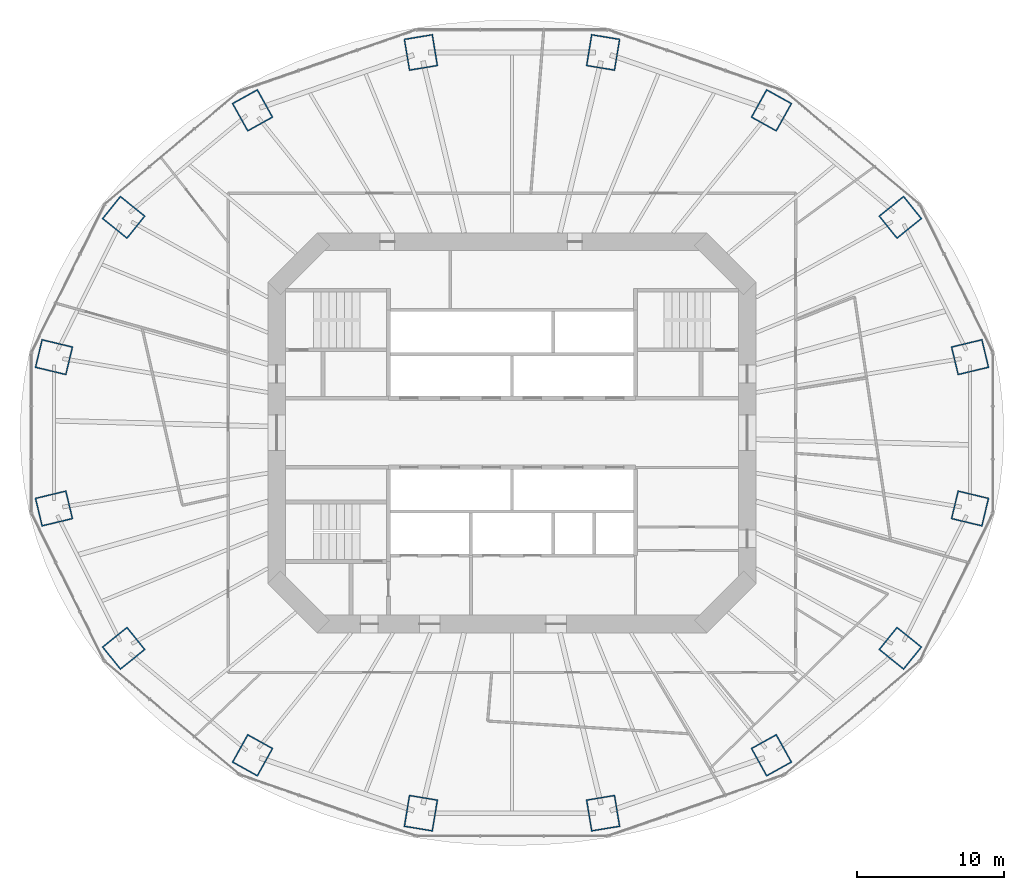
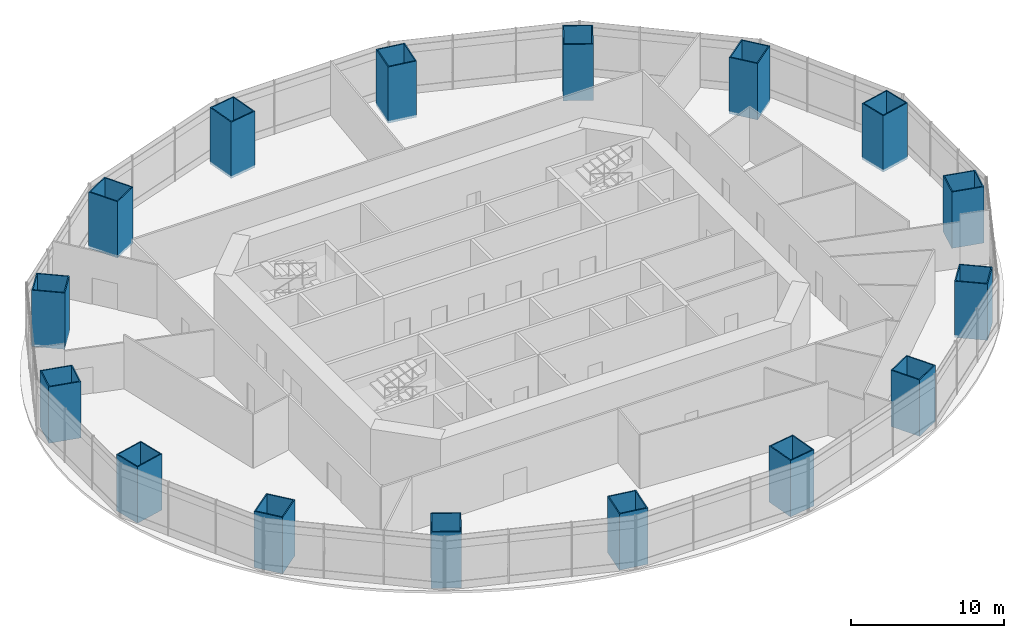
# One storey, part 1 of 17: 16 columns.
"""IFC4 building model written with IfcOpenShell, lengths in metres."""

from ifc_helpers import new_model, si_unit, direction, frame, origin, origin_2d, place, context, subcontext, project, spatial, rectangle, hollow_rectangle, extrude, material, material_profile, profile_set, type_object, element, save


model = new_model("IFC4")

# Units and contexts
model_context = context("Model", 3, precision=1e-05, world=origin(), true_north=direction((0.0, 1.0)))
body_context = subcontext(model_context, "Body", "Model", "MODEL_VIEW")
ifc_project = project(units=[si_unit("LENGTHUNIT", "METRE"), si_unit("AREAUNIT", "SQUARE_METRE"), si_unit("VOLUMEUNIT", "CUBIC_METRE"), si_unit("PLANEANGLEUNIT", "RADIAN"), si_unit("MASSUNIT", "GRAM", prefix="KILO")], contexts=[model_context])

# Site, building, storey
site_placement = place(None, origin())
site = spatial("IfcSite", under=ifc_project, at=site_placement, CompositionType="ELEMENT")
building_placement = place(site_placement, origin())
building = spatial("IfcBuilding", under=site, at=building_placement, Name="Marenthal Gate Tower", CompositionType="ELEMENT")
storey_placement = place(building_placement, frame((0.0, 0.0, 145.050048828125)))
storey = spatial("IfcBuildingStorey", under=building, at=storey_placement, Name="L31", CompositionType="ELEMENT", Elevation=145.050048828125)

# Columns
ifc_material_1 = material(Name="Steel S460", Category="steel")
ifc_material_profile_1 = material_profile(ifc_material_1, hollow_rectangle(XDim=2.0, YDim=2.199951171875, WallThickness=0.080078125, at=origin_2d()), Name="CFT BOX 2200X2000X80")
ifc_material_2 = material(Name="Concrete 70 MPa", Category="concrete")
ifc_material_profile_2 = material_profile(ifc_material_2, rectangle(XDim=1.840087890625, YDim=2.0400390625, at=origin_2d()), Name="CFT BOX 2200X2000X80 INFILL")
ifc_profile_set = profile_set([ifc_material_profile_1, ifc_material_profile_2], Name="Steel S460 shell, Concrete 70 MPa infill")
column_type = type_object("IfcColumnType", Name="CFT BOX 2200X2000X80", PredefinedType="COLUMN", material=ifc_profile_set)
for number, where, z_axis, x_axis, name in (
    (1, (31.151611328125, 5.14599609375, -0.199951171875), (0.0, 0.0, 1.0), (0.23293280554, -0.972492831903, 0.0), "COL-L31-01"),
    (2, (26.4091796875, 14.654296875, -0.199951171875), (0.0, 0.0, 1.0), (0.626873093811, -0.779121379668, 0.0), "COL-L31-02"),
    (3, (17.64599609375, 21.931640625, -0.199951171875), (0.0, 0.0, 1.0), (0.874403004827, -0.485200355677, 0.0), "COL-L31-03"),
    (4, (6.196533203125, 25.8701171875, -0.199951171875), (0.0, 0.0, 1.0), (0.986629397471, -0.162979851655, 0.0), "COL-L31-04"),
    (5, (-6.196533203125, 25.8701171875, -0.199951171875), (0.0, 0.0, 1.0), (0.986629397471, 0.162979851655, 0.0), "COL-L31-05"),
    (6, (-17.64599609375, 21.931640625, -0.199951171875), (0.0, 0.0, 1.0), (0.874403004827, 0.485200355677, 0.0), "COL-L31-06"),
    (7, (-26.4091796875, 14.654296875, -0.199951171875), (0.0, 0.0, 1.0), (0.626873093811, 0.779121379668, 0.0), "COL-L31-07"),
    (8, (-31.151611328125, 5.14599609375, -0.199951171875), (0.0, 0.0, 1.0), (0.23293280554, 0.972492831903, 0.0), "COL-L31-08"),
    (9, (-31.151611328125, -5.14599609375, -0.199951171875), (0.0, 0.0, 1.0), (-0.23293280554, 0.972492831903, 0.0), "COL-L31-09"),
    (10, (-26.4091796875, -14.654296875, -0.199951171875), (0.0, 0.0, 1.0), (-0.626873093811, 0.779121379668, 0.0), "COL-L31-10"),
    (11, (-17.64599609375, -21.931640625, -0.199951171875), (0.0, 0.0, 1.0), (-0.874403004827, 0.485200355677, 0.0), "COL-L31-11"),
    (12, (-6.196533203125, -25.8701171875, -0.199951171875), (0.0, 0.0, 1.0), (-0.986629397471, 0.162979851655, 0.0), "COL-L31-12"),
    (13, (6.196533203125, -25.8701171875, -0.199951171875), (0.0, 0.0, 1.0), (-0.986629397471, -0.162979851655, 0.0), "COL-L31-13"),
    (14, (17.64599609375, -21.931640625, -0.199951171875), (0.0, 0.0, 1.0), (-0.874403004827, -0.485200355677, 0.0), "COL-L31-14"),
    (15, (26.4091796875, -14.654296875, -0.199951171875), (0.0, 0.0, 1.0), (-0.626873093811, -0.779121379668, 0.0), "COL-L31-15"),
    (16, (31.151611328125, -5.14599609375, -0.199951171875), (0.0, 0.0, 1.0), (-0.23293280554, -0.972492831903, 0.0), "COL-L31-16"),
):
    element("IfcColumn", number, at=place(storey_placement, frame(where, z_axis=z_axis, x_axis=x_axis)), inside=storey, type_object=column_type, Name=name, PredefinedType="COLUMN", context=body_context, shape_type="SweptSolid", body=[
        extrude(hollow_rectangle(XDim=2.0, YDim=2.199951171875, WallThickness=0.080078125, at=origin_2d()), origin(), (0.0, 0.0, 1.0), 4.5),
    ])

save(model, "model.ifc")
